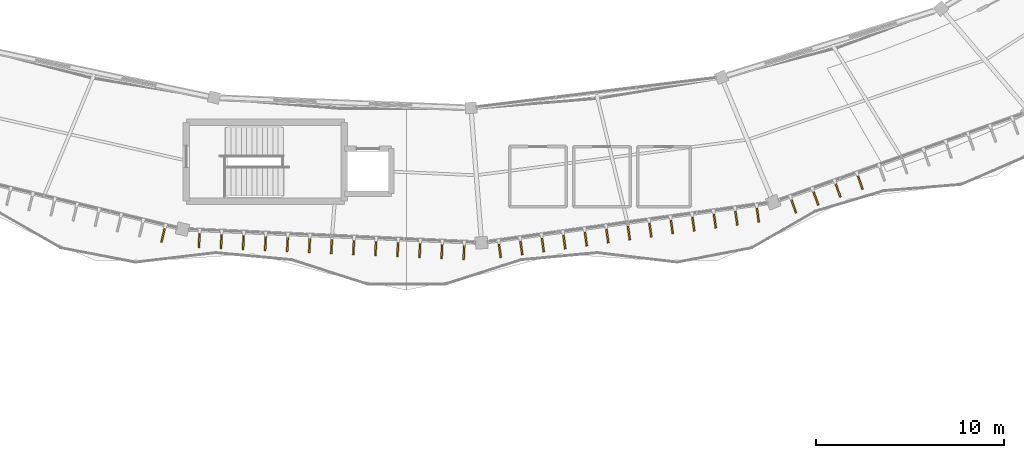
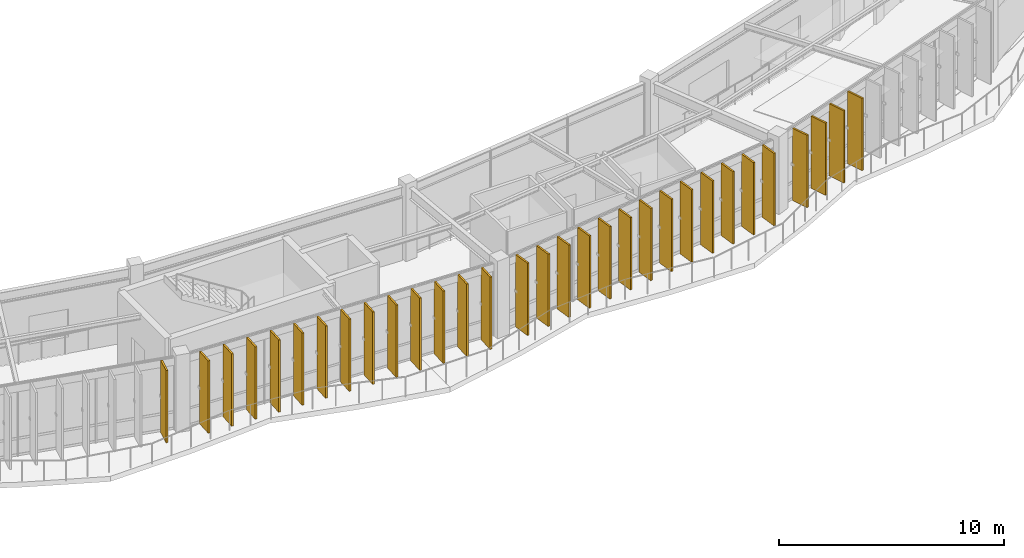
# One storey, part 107 of 114: 31 shading devices.
"""IFC4 building model written with IfcOpenShell, lengths in metres."""

from ifc_helpers import new_model, si_unit, direction, frame, origin, origin_2d, place, context, subcontext, project, spatial, rectangle, extrude, material, type_object, element, save


model = new_model("IFC4")

# Units and contexts
model_context = context("Model", 3, precision=1e-05, world=origin(), true_north=direction((0.0, 1.0)))
body_context = subcontext(model_context, "Body", "Model", "MODEL_VIEW")
ifc_project = project(units=[si_unit("LENGTHUNIT", "METRE"), si_unit("AREAUNIT", "SQUARE_METRE"), si_unit("VOLUMEUNIT", "CUBIC_METRE"), si_unit("PLANEANGLEUNIT", "RADIAN"), si_unit("MASSUNIT", "GRAM", prefix="KILO"), si_unit("THERMODYNAMICTEMPERATUREUNIT", "KELVIN"), si_unit("POWERUNIT", "WATT")], contexts=[model_context])

# Site, building, storey
site_placement = place(None, origin())
site = spatial("IfcSite", under=ifc_project, at=site_placement, CompositionType="ELEMENT")
building_placement = place(site_placement, origin())
building = spatial("IfcBuilding", under=site, at=building_placement, Name="Darbajah Civic Hall", CompositionType="ELEMENT")
storey_placement = place(building_placement, frame((0.0, 0.0, 13.800048828125)))
storey = spatial("IfcBuildingStorey", under=building, at=storey_placement, Name="L03", CompositionType="ELEMENT", Elevation=13.800048828125)

# Shading devices
ifc_material = material(Name="Bronze Anodised Aluminium and Teak Composite", Category="aluminium")
shading_device_type = type_object("IfcShadingDeviceType", Name="Vertical Bronze Timber Shading Fin", PredefinedType="USERDEFINED", material=ifc_material)
for number, where, z_axis, x_axis, name in (
    (1, (76.168701171875, 60.831298828125, 0.0), (0.0, 0.0, 1.0), (-0.232936200179, -0.972492018808, 0.0), "L03 vertical shading fin VF-13-12"),
    (2, (78.084228515625, 60.55908203125, 0.0), (0.0, 0.0, 1.0), (-0.045537340693, -0.998962637241, 0.0), "L03 vertical shading fin VF-14-1"),
    (3, (79.257568359375, 60.505615234375, 0.0), (0.0, 0.0, 1.0), (-0.045537340693, -0.998962637241, 0.0), "L03 vertical shading fin VF-14-2"),
    (4, (80.430908203125, 60.4521484375, 0.0), (0.0, 0.0, 1.0), (-0.045537340693, -0.998962637241, 0.0), "L03 vertical shading fin VF-14-3"),
    (5, (81.604248046875, 60.398681640625, 0.0), (0.0, 0.0, 1.0), (-0.045537340693, -0.998962637241, 0.0), "L03 vertical shading fin VF-14-4"),
    (6, (82.777587890625, 60.345458984375, 0.0), (0.0, 0.0, 1.0), (-0.045537340693, -0.998962637241, 0.0), "L03 vertical shading fin VF-14-5"),
    (7, (83.951171875, 60.292236328125, 0.0), (0.0, 0.0, 1.0), (-0.045537340693, -0.998962637241, 0.0), "L03 vertical shading fin VF-14-6"),
    (8, (85.12451171875, 60.238525390625, 0.0), (0.0, 0.0, 1.0), (-0.045537340693, -0.998962637241, 0.0), "L03 vertical shading fin VF-14-7"),
    (9, (86.2978515625, 60.18505859375, 0.0), (0.0, 0.0, 1.0), (-0.045537340693, -0.998962637241, 0.0), "L03 vertical shading fin VF-14-8"),
    (10, (87.47119140625, 60.131591796875, 0.0), (0.0, 0.0, 1.0), (-0.045537340693, -0.998962637241, 0.0), "L03 vertical shading fin VF-14-9"),
    (11, (88.64453125, 60.078369140625, 0.0), (0.0, 0.0, 1.0), (-0.045537340693, -0.998962637241, 0.0), "L03 vertical shading fin VF-14-10"),
    (12, (89.81787109375, 60.02490234375, 0.0), (0.0, 0.0, 1.0), (-0.045537340693, -0.998962637241, 0.0), "L03 vertical shading fin VF-14-11"),
    (13, (90.9912109375, 59.971435546875, 0.0), (0.0, 0.0, 1.0), (-0.045537340693, -0.998962637241, 0.0), "L03 vertical shading fin VF-14-12"),
    (14, (92.16455078125, 59.91796875, 0.0), (0.0, 0.0, 1.0), (-0.045537340693, -0.998962637241, 0.0), "L03 vertical shading fin VF-14-13"),
    (15, (94.065185546875, 60.0244140625, 0.0), (0.0, 0.0, 1.0), (0.137617420457, -0.990485459553, 0.0), "L03 vertical shading fin VF-15-1"),
    (16, (95.211669921875, 60.1640625, 0.0), (0.0, 0.0, 1.0), (0.137617420457, -0.990485459553, 0.0), "L03 vertical shading fin VF-15-2"),
    (17, (96.355224609375, 60.322998046875, 0.0), (0.0, 0.0, 1.0), (0.137617420457, -0.990485459553, 0.0), "L03 vertical shading fin VF-15-3"),
    (18, (97.4990234375, 60.481689453125, 0.0), (0.0, 0.0, 1.0), (0.137617420457, -0.990485459553, 0.0), "L03 vertical shading fin VF-15-4"),
    (19, (98.642578125, 60.640380859375, 0.0), (0.0, 0.0, 1.0), (0.137617420457, -0.990485459553, 0.0), "L03 vertical shading fin VF-15-5"),
    (20, (99.786376953125, 60.79931640625, 0.0), (0.0, 0.0, 1.0), (0.137617420457, -0.990485459553, 0.0), "L03 vertical shading fin VF-15-6"),
    (21, (100.929931640625, 60.9580078125, 0.0), (0.0, 0.0, 1.0), (0.137617420457, -0.990485459553, 0.0), "L03 vertical shading fin VF-15-7"),
    (22, (102.07373046875, 61.116943359375, 0.0), (0.0, 0.0, 1.0), (0.137617420457, -0.990485459553, 0.0), "L03 vertical shading fin VF-15-8"),
    (23, (103.21435546875, 61.29736328125, 0.0), (0.0, 0.0, 1.0), (0.137617420457, -0.990485459553, 0.0), "L03 vertical shading fin VF-15-9"),
    (24, (104.361083984375, 61.4345703125, 0.0), (0.0, 0.0, 1.0), (0.137617420457, -0.990485459553, 0.0), "L03 vertical shading fin VF-15-10"),
    (25, (105.504638671875, 61.593505859375, 0.0), (0.0, 0.0, 1.0), (0.137617420457, -0.990485459553, 0.0), "L03 vertical shading fin VF-15-11"),
    (26, (106.648193359375, 61.752197265625, 0.0), (0.0, 0.0, 1.0), (0.137617420457, -0.990485459553, 0.0), "L03 vertical shading fin VF-15-12"),
    (27, (107.7919921875, 61.9111328125, 0.0), (0.0, 0.0, 1.0), (0.137617420457, -0.990485459553, 0.0), "L03 vertical shading fin VF-15-13"),
    (28, (109.6875, 62.378662109375, 0.0), (0.0, 0.0, 1.0), (0.334135882844, -0.94252491309, 0.0), "L03 vertical shading fin VF-16-1"),
    (29, (110.868408203125, 62.797119140625, 0.0), (0.0, 0.0, 1.0), (0.334135882844, -0.94252491309, 0.0), "L03 vertical shading fin VF-16-2"),
    (30, (112.049072265625, 63.2158203125, 0.0), (0.0, 0.0, 1.0), (0.334135882844, -0.94252491309, 0.0), "L03 vertical shading fin VF-16-3"),
    (31, (113.22998046875, 63.63427734375, 0.0), (0.0, 0.0, 1.0), (0.334135882844, -0.94252491309, 0.0), "L03 vertical shading fin VF-16-4"),
):
    element("IfcShadingDevice", number, at=place(storey_placement, frame(where, z_axis=z_axis, x_axis=x_axis)), inside=storey, type_object=shading_device_type, Name=name, ObjectType="VERTICAL FIN", PredefinedType="USERDEFINED", context=body_context, shape_type="SweptSolid", body=[
        extrude(rectangle(XDim=0.85009765625, YDim=0.090087890625, at=origin_2d()), origin(), (0.0, 0.0, 1.0), 3.919921875),
    ])

save(model, "model.ifc")
